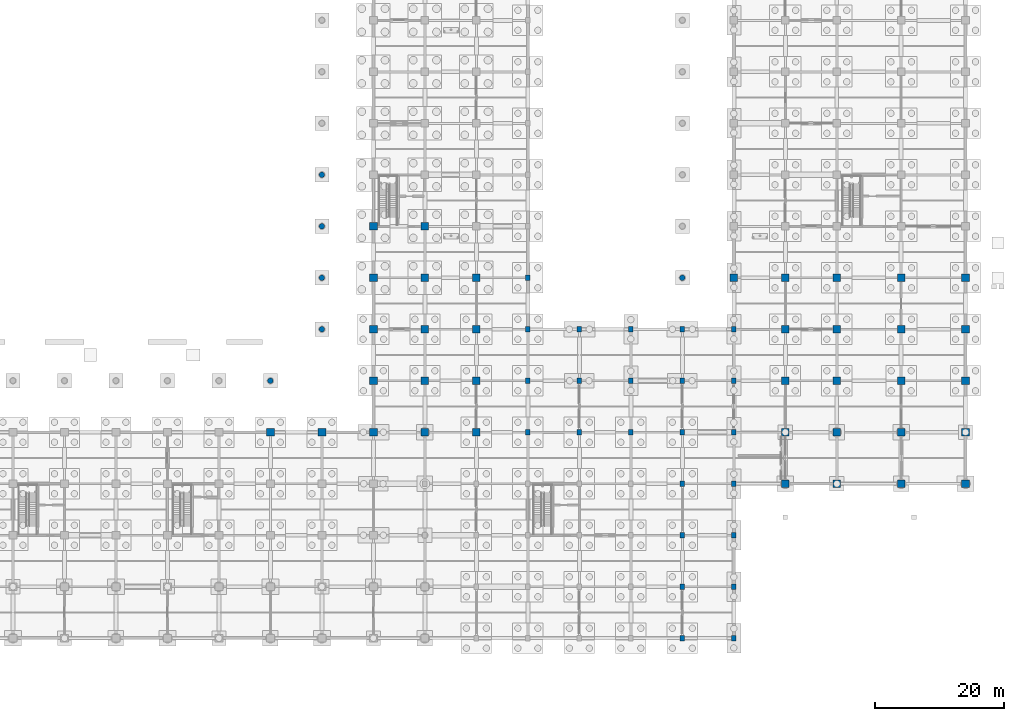
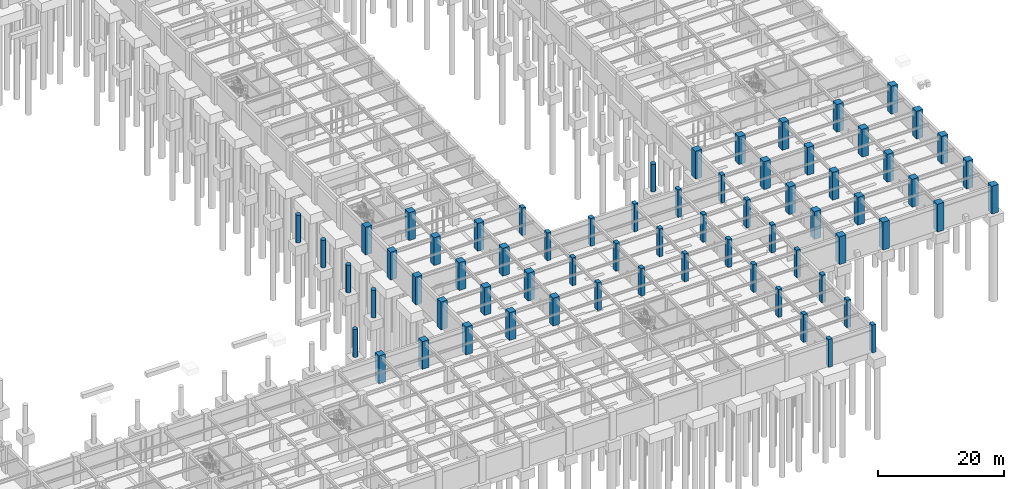
# One storey, part 38 of 97: 67 columns.
"""IFC4 building model written with IfcOpenShell, lengths in metres."""

from ifc_helpers import new_model, si_unit, direction, frame, origin, origin_2d, place, context, subcontext, project, spatial, rectangle, circle, extrude, material, material_profile, profile_set, type_object, element, save


model = new_model("IFC4")

# Units and contexts
model_context = context("Model", 3, precision=1e-05, world=origin(), true_north=direction((0.0, 1.0)))
body_context = subcontext(model_context, "Body", "Model", "MODEL_VIEW")
ifc_project = project(units=[si_unit("LENGTHUNIT", "METRE"), si_unit("AREAUNIT", "SQUARE_METRE"), si_unit("VOLUMEUNIT", "CUBIC_METRE"), si_unit("PLANEANGLEUNIT", "RADIAN"), si_unit("MASSUNIT", "GRAM", prefix="KILO")], contexts=[model_context])

# Site, building, storey
site_placement = place(None, origin())
site = spatial("IfcSite", under=ifc_project, at=site_placement, CompositionType="ELEMENT")
building_placement = place(site_placement, origin())
building = spatial("IfcBuilding", under=site, at=building_placement, Name="Haebicheon Civic Stadium", CompositionType="ELEMENT")
storey_placement = place(building_placement, frame((0.0, 0.0, -5.39990234375)))
storey = spatial("IfcBuildingStorey", under=building, at=storey_placement, Name="B1", CompositionType="ELEMENT", Elevation=-5.39990234375)

# Columns
ifc_material_1 = material(Name="Concrete C40/50", Category="concrete")
ifc_material_profile_1 = material_profile(ifc_material_1, rectangle(XDim=1.199951171875, YDim=1.199951171875, at=origin_2d()), Name="RC-COL-1200x1200")
ifc_profile_set_1 = profile_set([ifc_material_profile_1], Name="Concrete C40/50")
column_type_1 = type_object("IfcColumnType", Name="COL-RC-1200", PredefinedType="COLUMN", material=ifc_profile_set_1)
for number, where, z_axis, x_axis, name in (
    (1, (128.0, 32.0, 0.0), (0.0, 0.0, 1.0), (1.0, 0.0, 0.0), "B1 column 17/E"),
    (2, (136.0, 32.0, 0.0), (0.0, 0.0, 1.0), (1.0, 0.0, 0.0), "B1 column 18/E"),
    (3, (144.0, 32.0, 0.0), (0.0, 0.0, 1.0), (1.0, 0.0, 0.0), "B1 column 19/E"),
    (4, (144.0, 40.0, 0.0), (0.0, 0.0, 1.0), (1.0, 0.0, 0.0), "B1 column 19/F"),
    (5, (144.0, 48.0, 0.0), (0.0, 0.0, 1.0), (1.0, 0.0, 0.0), "B1 column 19/G"),
    (6, (144.0, 56.0, 0.0), (0.0, 0.0, 1.0), (1.0, 0.0, 0.0), "B1 column 19/H"),
    (7, (144.0, 64.0, 0.0), (0.0, 0.0, 1.0), (1.0, 0.0, 0.0), "B1 column 19/J"),
    (8, (152.0, 32.0, 0.0), (0.0, 0.0, 1.0), (1.0, 0.0, 0.0), "B1 column 20/E"),
    (9, (152.0, 40.0, 0.0), (0.0, 0.0, 1.0), (1.0, 0.0, 0.0), "B1 column 20/F"),
    (10, (152.0, 48.0, 0.0), (0.0, 0.0, 1.0), (1.0, 0.0, 0.0), "B1 column 20/G"),
    (11, (152.0, 56.0, 0.0), (0.0, 0.0, 1.0), (1.0, 0.0, 0.0), "B1 column 20/H"),
    (12, (152.0, 64.0, 0.0), (0.0, 0.0, 1.0), (1.0, 0.0, 0.0), "B1 column 20/J"),
    (13, (160.0, 32.0, 0.0), (0.0, 0.0, 1.0), (1.0, 0.0, 0.0), "B1 column 21/E"),
    (14, (160.0, 40.0, 0.0), (0.0, 0.0, 1.0), (1.0, 0.0, 0.0), "B1 column 21/F"),
    (15, (160.0, 48.0, 0.0), (0.0, 0.0, 1.0), (1.0, 0.0, 0.0), "B1 column 21/G"),
    (16, (160.0, 56.0, 0.0), (0.0, 0.0, 1.0), (1.0, 0.0, 0.0), "B1 column 21/H"),
    (17, (200.0, 56.0, 0.0), (0.0, 0.0, 1.0), (1.0, 0.0, 0.0), "B1 column 26/H"),
    (18, (208.0, 24.0, 0.0), (0.0, 0.0, 1.0), (1.0, 0.0, 0.0), "B1 column 27/D"),
    (19, (208.0, 32.0, 0.0), (0.0, 0.0, 1.0), (1.0, 0.0, 0.0), "B1 column 27/E"),
    (20, (208.0, 40.0, 0.0), (0.0, 0.0, 1.0), (1.0, 0.0, 0.0), "B1 column 27/F"),
    (21, (208.0, 48.0, 0.0), (0.0, 0.0, 1.0), (1.0, 0.0, 0.0), "B1 column 27/G"),
    (22, (208.0, 56.0, 0.0), (0.0, 0.0, 1.0), (1.0, 0.0, 0.0), "B1 column 27/H"),
    (23, (216.0, 24.0, 0.0), (0.0, 0.0, 1.0), (1.0, 0.0, 0.0), "B1 column 28/D"),
    (24, (216.0, 32.0, 0.0), (0.0, 0.0, 1.0), (1.0, 0.0, 0.0), "B1 column 28/E"),
    (25, (216.0, 40.0, 0.0), (0.0, 0.0, 1.0), (1.0, 0.0, 0.0), "B1 column 28/F"),
    (26, (216.0, 48.0, 0.0), (0.0, 0.0, 1.0), (1.0, 0.0, 0.0), "B1 column 28/G"),
    (27, (216.0, 56.0, 0.0), (0.0, 0.0, 1.0), (1.0, 0.0, 0.0), "B1 column 28/H"),
    (28, (226.0, 24.0, 0.0), (0.0, 0.0, 1.0), (1.0, 0.0, 0.0), "B1 column 29/D"),
    (29, (226.0, 32.0, 0.0), (0.0, 0.0, 1.0), (1.0, 0.0, 0.0), "B1 column 29/E"),
    (30, (226.0, 40.0, 0.0), (0.0, 0.0, 1.0), (1.0, 0.0, 0.0), "B1 column 29/F"),
    (31, (226.0, 48.0, 0.0), (0.0, 0.0, 1.0), (1.0, 0.0, 0.0), "B1 column 29/G"),
    (32, (226.0, 56.0, 0.0), (0.0, 0.0, 1.0), (1.0, 0.0, 0.0), "B1 column 29/H"),
    (33, (236.0, 24.0, 0.0), (0.0, 0.0, 1.0), (1.0, 0.0, 0.0), "B1 column 30/D"),
    (34, (236.0, 32.0, 0.0), (0.0, 0.0, 1.0), (1.0, 0.0, 0.0), "B1 column 30/E"),
    (35, (236.0, 40.0, 0.0), (0.0, 0.0, 1.0), (1.0, 0.0, 0.0), "B1 column 30/F"),
    (36, (236.0, 48.0, 0.0), (0.0, 0.0, 1.0), (1.0, 0.0, 0.0), "B1 column 30/G"),
    (37, (236.0, 56.0, 0.0), (0.0, 0.0, 1.0), (1.0, 0.0, 0.0), "B1 column 30/H"),
):
    element("IfcColumn", number, at=place(storey_placement, frame(where, z_axis=z_axis, x_axis=x_axis)), inside=storey, type_object=column_type_1, material=ifc_profile_set_1, Name=name, PredefinedType="COLUMN", context=body_context, shape_type="SweptSolid", body=[
        extrude(rectangle(XDim=1.199951171875, YDim=1.199951171875, at=origin_2d()), origin(), (0.0, 0.0, 1.0), 5.39990234375),
    ])
ifc_material_2 = material(Name="Concrete C40/50", Category="concrete")
ifc_material_profile_2 = material_profile(ifc_material_2, rectangle(XDim=0.699951171875, YDim=0.89990234375, at=origin_2d()), Name="RC-COL-900x700")
ifc_profile_set_2 = profile_set([ifc_material_profile_2], Name="Concrete C40/50")
column_type_2 = type_object("IfcColumnType", Name="COL-RC-900x700", PredefinedType="COLUMN", material=ifc_profile_set_2)
for number, where, z_axis, x_axis, name in (
    (38, (168.0, 32.0, 0.0), (0.0, 0.0, 1.0), (1.0, 0.0, 0.0), "B1 column 22/E"),
    (39, (168.0, 40.0, 0.0), (0.0, 0.0, 1.0), (1.0, 0.0, 0.0), "B1 column 22/F"),
    (40, (168.0, 48.0, 0.0), (0.0, 0.0, 1.0), (1.0, 0.0, 0.0), "B1 column 22/G"),
    (41, (168.0, 56.0, 0.0), (0.0, 0.0, 1.0), (1.0, 0.0, 0.0), "B1 column 22/H"),
    (42, (176.0, 32.0, 0.0), (0.0, 0.0, 1.0), (1.0, 0.0, 0.0), "B1 column 23/E"),
    (43, (176.0, 40.0, 0.0), (0.0, 0.0, 1.0), (1.0, 0.0, 0.0), "B1 column 23/F"),
    (44, (176.0, 48.0, 0.0), (0.0, 0.0, 1.0), (1.0, 0.0, 0.0), "B1 column 23/G"),
    (45, (184.0, 32.0, 0.0), (0.0, 0.0, 1.0), (1.0, 0.0, 0.0), "B1 column 24/E"),
    (46, (184.0, 40.0, 0.0), (0.0, 0.0, 1.0), (1.0, 0.0, 0.0), "B1 column 24/F"),
    (47, (184.0, 48.0, 0.0), (0.0, 0.0, 1.0), (1.0, 0.0, 0.0), "B1 column 24/G"),
    (48, (192.0, 0.0, 0.0), (0.0, 0.0, 1.0), (1.0, 0.0, 0.0), "B1 column 25/A"),
    (49, (192.0, 8.0, 0.0), (0.0, 0.0, 1.0), (1.0, 0.0, 0.0), "B1 column 25/B"),
    (50, (192.0, 16.0, 0.0), (0.0, 0.0, 1.0), (1.0, 0.0, 0.0), "B1 column 25/C"),
    (51, (192.0, 24.0, 0.0), (0.0, 0.0, 1.0), (1.0, 0.0, 0.0), "B1 column 25/D"),
    (52, (192.0, 32.0, 0.0), (0.0, 0.0, 1.0), (1.0, 0.0, 0.0), "B1 column 25/E"),
    (53, (192.0, 40.0, 0.0), (0.0, 0.0, 1.0), (1.0, 0.0, 0.0), "B1 column 25/F"),
    (54, (192.0, 48.0, 0.0), (0.0, 0.0, 1.0), (1.0, 0.0, 0.0), "B1 column 25/G"),
    (55, (200.0, 0.0, 0.0), (0.0, 0.0, 1.0), (1.0, 0.0, 0.0), "B1 column 26/A"),
    (56, (200.0, 8.0, 0.0), (0.0, 0.0, 1.0), (1.0, 0.0, 0.0), "B1 column 26/B"),
    (57, (200.0, 16.0, 0.0), (0.0, 0.0, 1.0), (1.0, 0.0, 0.0), "B1 column 26/C"),
    (58, (200.0, 24.0, 0.0), (0.0, 0.0, 1.0), (1.0, 0.0, 0.0), "B1 column 26/D"),
    (59, (200.0, 32.0, 0.0), (0.0, 0.0, 1.0), (1.0, 0.0, 0.0), "B1 column 26/E"),
    (60, (200.0, 40.0, 0.0), (0.0, 0.0, 1.0), (1.0, 0.0, 0.0), "B1 column 26/F"),
    (61, (200.0, 48.0, 0.0), (0.0, 0.0, 1.0), (1.0, 0.0, 0.0), "B1 column 26/G"),
):
    element("IfcColumn", number, at=place(storey_placement, frame(where, z_axis=z_axis, x_axis=x_axis)), inside=storey, type_object=column_type_2, material=ifc_profile_set_2, Name=name, PredefinedType="COLUMN", context=body_context, shape_type="SweptSolid", body=[
        extrude(rectangle(XDim=0.699951171875, YDim=0.89990234375, at=origin_2d()), origin(), (0.0, 0.0, 1.0), 5.39990234375),
    ])
ifc_material_3 = material(Name="Concrete C40/50", Category="concrete")
ifc_material_profile_3 = material_profile(ifc_material_3, circle(Radius=0.425048828125, at=origin_2d()), Name="RC-COL-D850")
ifc_profile_set_3 = profile_set([ifc_material_profile_3], Name="Concrete C40/50")
column_type_3 = type_object("IfcColumnType", Name="COL-RC-D850", PredefinedType="COLUMN", material=ifc_profile_set_3)
for number, where, z_axis, x_axis, name in (
    (62, (136.0, 48.0, 0.0), (0.0, 0.0, 1.0), (1.0, 0.0, 0.0), "Bowl/canopy support column 136/48 (B1)"),
    (63, (136.0, 56.0, 0.0), (0.0, 0.0, 1.0), (1.0, 0.0, 0.0), "Bowl/canopy support column 136/56 (B1)"),
    (64, (136.0, 64.0, 0.0), (0.0, 0.0, 1.0), (1.0, 0.0, 0.0), "Bowl/canopy support column 136/64 (B1)"),
    (65, (136.0, 72.0, 0.0), (0.0, 0.0, 1.0), (1.0, 0.0, 0.0), "Bowl/canopy support column 136/72 (B1)"),
    (66, (128.0, 40.0, 0.0), (0.0, 0.0, 1.0), (1.0, 0.0, 0.0), "Bowl/canopy support column 128/40 (B1)"),
    (67, (192.0, 56.0, 0.0), (0.0, 0.0, 1.0), (1.0, 0.0, 0.0), "Bowl/canopy support column 192/56 (B1)"),
):
    element("IfcColumn", number, at=place(storey_placement, frame(where, z_axis=z_axis, x_axis=x_axis)), inside=storey, type_object=column_type_3, material=ifc_profile_set_3, Name=name, PredefinedType="COLUMN", context=body_context, shape_type="SweptSolid", body=[
        extrude(circle(Radius=0.425048828125, at=origin_2d()), origin(), (0.0, 0.0, 1.0), 5.39990234375),
    ])

save(model, "model.ifc")
